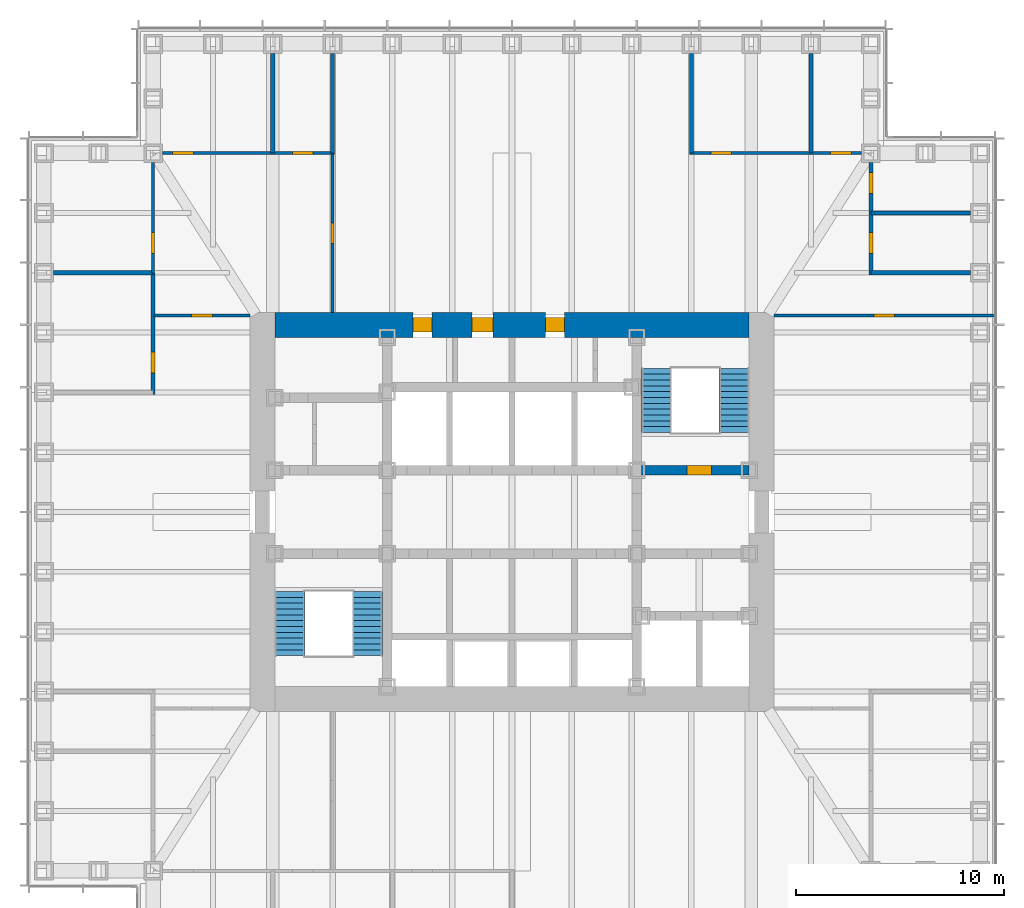
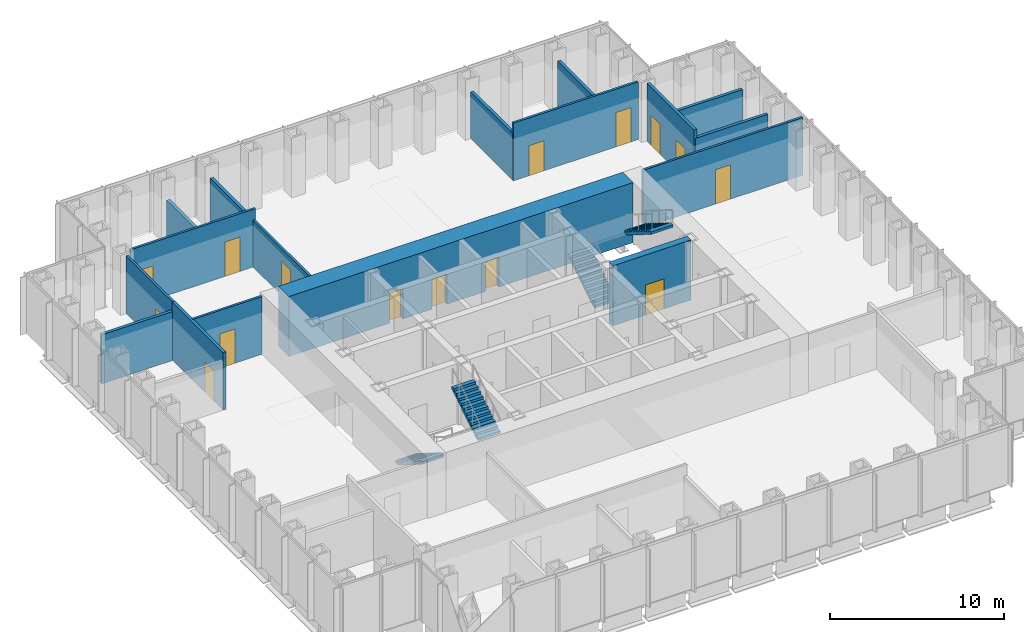
# One storey, part 10 of 16: 17 walls, 15 doors, 4 stair flights, 15 openings, 2 elements without a shape of their own.
"""IFC4 building model written with IfcOpenShell, lengths in metres."""

import ifcopenshell
import ifcopenshell.guid

model = None  # the IFC model being written
_history = None  # IfcOwnerHistory: only IFC2X3 demands one
_inside = {}  # id of a spatial element -> (the spatial element, [elements in it])
_under = {}  # id of a project, library or spatial element -> (it, [spatial elements below it])
_declared = {}  # id of a project -> (the project, [libraries it declares])
_typed = {}  # id of a type object -> (the type object, [elements of that type])
_made_of = {}  # id of a material, layer set ... -> (it, [elements and type objects made of it])


def new_model(schema):
    """Start an empty IFC model of exactly this schema.

    Asked for "IFC4X3", IfcOpenShell would pick the latest addendum, in which some entities
    have other attributes; the version numbers below select the first issue.
    IFC2X3 requires an IfcOwnerHistory on every rooted entity: one is made here for all.
    """
    global model, _history
    if schema == "IFC4X3":
        model = ifcopenshell.file(schema_version=(4, 3, 0, 0))
    else:
        model = ifcopenshell.file(schema=schema)
    _inside.clear()
    _under.clear()
    _declared.clear()
    _typed.clear()
    _made_of.clear()
    _history = None
    if model.schema == "IFC2X3":
        org = make("IfcOrganization", Name="unknown")
        user = make(
            "IfcPersonAndOrganization",
            ThePerson=make("IfcPerson", FamilyName="unknown"),
            TheOrganization=org,
        )
        app = make(
            "IfcApplication",
            ApplicationDeveloper=org,
            Version="unknown",
            ApplicationFullName="unknown",
            ApplicationIdentifier="unknown",
        )
        _history = make(
            "IfcOwnerHistory",
            OwningUser=user,
            OwningApplication=app,
            ChangeAction="ADDED",
            CreationDate=0,
        )
    return model


def make(cls, **values):
    """One entity of the class cls with the attributes given. An attribute that is None is left unset."""
    return model.create_entity(
        cls, **{name: value for name, value in values.items() if value is not None}
    )


def rooted(cls, **values):
    """An entity with a GlobalId (a new one), such as an element, a storey or a relation."""
    return make(cls, GlobalId=ifcopenshell.guid.new(), OwnerHistory=_history, **values)


def si_unit(unit_type, name, prefix=None):
    """IfcSIUnit, for example si_unit("LENGTHUNIT", "METRE", prefix="MILLI")."""
    return make("IfcSIUnit", UnitType=unit_type, Prefix=prefix, Name=name)


def assignment(units):
    """IfcUnitAssignment: the units of a project."""
    return None if units is None else make("IfcUnitAssignment", Units=units)


def point(xyz):
    """IfcCartesianPoint."""
    return None if xyz is None else make("IfcCartesianPoint", Coordinates=xyz)


def direction(xyz):
    """IfcDirection."""
    return None if xyz is None else make("IfcDirection", DirectionRatios=xyz)


def frame(location, z_axis=None, x_axis=None):
    """IfcAxis2Placement3D, a coordinate frame: its origin and axes. An axis left out is left unset."""
    return make(
        "IfcAxis2Placement3D",
        Location=point(location),
        Axis=direction(z_axis),
        RefDirection=direction(x_axis),
    )


def frame_2d(location, x_axis=None):
    """IfcAxis2Placement2D, a coordinate frame in the plane: its origin and x axis."""
    return make(
        "IfcAxis2Placement2D", Location=point(location), RefDirection=direction(x_axis)
    )


def origin():
    """The frame at (0, 0, 0) with its axes left unset."""
    return frame((0.0, 0.0, 0.0))


def place(relative_to, where):
    """IfcLocalPlacement: puts the frame where relative to a parent placement (None: the world)."""
    return make(
        "IfcLocalPlacement", PlacementRelTo=relative_to, RelativePlacement=where
    )


def context(
    kind, dimensions, precision=None, world=None, true_north=None, identifier=None
):
    """IfcGeometricRepresentationContext, for example the 3D "Model" context."""
    return make(
        "IfcGeometricRepresentationContext",
        ContextIdentifier=identifier,
        ContextType=kind,
        CoordinateSpaceDimension=dimensions,
        Precision=precision,
        WorldCoordinateSystem=world,
        TrueNorth=true_north,
    )


def subcontext(parent, identifier, kind, view, scale=None):
    """IfcGeometricRepresentationSubContext, for example "Body" below "Model"."""
    return make(
        "IfcGeometricRepresentationSubContext",
        ContextIdentifier=identifier,
        ContextType=kind,
        ParentContext=parent,
        TargetScale=scale,
        TargetView=view,
    )


def project(units=None, contexts=None):
    """IfcProject with its units and contexts."""
    return rooted(
        "IfcProject",
        Name="project",
        RepresentationContexts=contexts,
        UnitsInContext=assignment(units),
    )


def spatial(cls, under=None, at=None, **own):
    """A site, building, storey or space (cls), placed at a placement, below another one or the project."""
    s = rooted(cls, ObjectPlacement=at, **own)
    if under is not None:
        _under.setdefault(under.id(), (under, []))[1].append(s)
    return s


def polyline(points):
    """IfcPolyline through the points."""
    return make("IfcPolyline", Points=[point(p) for p in points])


def profile(cls, at=None, kind="AREA", **sizes):
    """A parametric profile (cls). Its sizes go by their IFC names, for example OverallWidth=200.0."""
    return make(cls, ProfileType=kind, Position=at, **sizes)


def rectangle(**sizes):
    """IfcRectangleProfileDef."""
    return profile("IfcRectangleProfileDef", **sizes)


def outline(outer, holes=None, kind="AREA"):
    """IfcArbitraryClosedProfileDef: a profile drawn as a closed curve; with holes, ...WithVoids."""
    if holes is None:
        return make("IfcArbitraryClosedProfileDef", ProfileType=kind, OuterCurve=outer)
    return make(
        "IfcArbitraryProfileDefWithVoids",
        ProfileType=kind,
        OuterCurve=outer,
        InnerCurves=holes,
    )


def extrude(swept, where, along, depth):
    """IfcExtrudedAreaSolid: the profile swept, set in the frame where, extruded along a direction by depth."""
    return make(
        "IfcExtrudedAreaSolid",
        SweptArea=swept,
        Position=where,
        ExtrudedDirection=direction(along),
        Depth=depth,
    )


def shape(context_of_items, identifier, shape_type, items):
    """IfcShapeRepresentation: the items that make up one representation, for example the "Body"."""
    return make(
        "IfcShapeRepresentation",
        ContextOfItems=context_of_items,
        RepresentationIdentifier=identifier,
        RepresentationType=shape_type,
        Items=items,
    )


def material(Name=None, Category=None):
    """IfcMaterial."""
    return make("IfcMaterial", Name=Name, Category=Category)


def layer(
    of_material, thickness, ventilated=None, Name=None, Category=None, Priority=None
):
    """IfcMaterialLayer: one layer of a wall or slab, of a material (None: an air gap)."""
    return make(
        "IfcMaterialLayer",
        Material=of_material,
        LayerThickness=thickness,
        IsVentilated=ventilated,
        Name=Name,
        Category=Category,
        Priority=Priority,
    )


def layer_set(layers, Name=None):
    """IfcMaterialLayerSet."""
    return make("IfcMaterialLayerSet", MaterialLayers=layers, LayerSetName=Name)


def made_of(thing, what):
    """Note that an element or type object is made of a material, layer set ...; save() writes the relation."""
    if what is not None:
        _made_of.setdefault(what.id(), (what, []))[1].append(thing)
    return thing


def type_object(cls, material=None, **own):
    """A type object (cls), such as IfcWallType, which elements share."""
    return made_of(rooted(cls, **own), material)


def element(
    cls,
    number,
    at=None,
    inside=None,
    cuts=None,
    type_object=None,
    material=None,
    context=None,
    identifier="Body",
    shape_type=None,
    held_by="IfcProductDefinitionShape",
    body=None,
    shapes=None,
    **own,
):
    """One element of the class cls, such as IfcWall. Its Tag is "e" and its number.

    at: its placement. inside: the storey or other place that contains it. cuts: it is an
    opening in that element (IfcRelVoidsElement). A single representation is given by context,
    identifier, shape_type and body (its items); several are given by shapes. held_by: the class
    of the entity that holds the representations. save() writes the other relations.
    """
    e = rooted(cls, Tag="e%d" % number, ObjectPlacement=at, **own)
    if body is not None:
        shapes = [shape(context, identifier, shape_type, body)]
    if shapes is not None:
        e.Representation = make(held_by, Representations=shapes)
    if inside is not None:
        _inside.setdefault(inside.id(), (inside, []))[1].append(e)
    if cuts is not None:
        rooted(
            "IfcRelVoidsElement", RelatingBuildingElement=cuts, RelatedOpeningElement=e
        )
    if type_object is not None:
        _typed.setdefault(type_object.id(), (type_object, []))[1].append(e)
    return made_of(e, material)


def fill(opening, filler):
    """IfcRelFillsElement: the door or window that sits in an opening."""
    return rooted(
        "IfcRelFillsElement",
        RelatingOpeningElement=opening,
        RelatedBuildingElement=filler,
    )


def aggregate(whole, parts):
    """IfcRelAggregates: a whole, such as a stair, and the parts it consists of."""
    return rooted("IfcRelAggregates", RelatingObject=whole, RelatedObjects=parts)


def save(model, path):
    """Write the relations noted so far, then the file.

    IfcRelAggregates (storeys below a building ...), IfcRelContainedInSpatialStructure (elements
    in a storey), IfcRelDefinesByType, IfcRelAssociatesMaterial and IfcRelDeclares: one each for
    every whole, place, type object, material and project.
    """
    for whole, parts in _under.values():
        aggregate(whole, parts)
    for where, things in _inside.values():
        rooted(
            "IfcRelContainedInSpatialStructure",
            RelatedElements=things,
            RelatingStructure=where,
        )
    for kind, things in _typed.values():
        rooted("IfcRelDefinesByType", RelatedObjects=things, RelatingType=kind)
    for what, things in _made_of.values():
        rooted("IfcRelAssociatesMaterial", RelatedObjects=things, RelatingMaterial=what)
    for by, libraries in _declared.values():
        rooted("IfcRelDeclares", RelatingContext=by, RelatedDefinitions=libraries)
    model.write(path)


model = new_model("IFC4")

# Units and contexts
model_context = context("Model", 3, precision=1e-05, world=origin(), true_north=direction((0.0, 1.0)))
body_context = subcontext(model_context, "Body", "Model", "MODEL_VIEW")
ifc_project = project(units=[si_unit("LENGTHUNIT", "METRE"), si_unit("AREAUNIT", "SQUARE_METRE"), si_unit("VOLUMEUNIT", "CUBIC_METRE"), si_unit("PLANEANGLEUNIT", "RADIAN"), si_unit("MASSUNIT", "GRAM", prefix="KILO")], contexts=[model_context])

# Site, building, storey
site_placement = place(None, origin())
site = spatial("IfcSite", under=ifc_project, at=site_placement, CompositionType="ELEMENT")
building_placement = place(site_placement, origin())
building = spatial("IfcBuilding", under=site, at=building_placement, Name="Daluyong Arena Tower", CompositionType="ELEMENT")
storey_placement = place(building_placement, frame((0.0, 0.0, 162.699951171875)))
storey = spatial("IfcBuildingStorey", under=building, at=storey_placement, Name="L36", CompositionType="ELEMENT", Elevation=162.699951171875)

# Wall, opening, door
ifc_material_1 = material(Name="Concrete fc' 45 MPa", Category="concrete")
ifc_layer_1 = layer(ifc_material_1, 0.449951171875)
ifc_layer_set_1 = layer_set([ifc_layer_1], Name="Concrete fc' 45 MPa")
wall_type_1 = type_object("IfcWallType", Name="Core inner wall 450", PredefinedType="SHEAR", material=ifc_layer_set_1)
wall_1_placement = place(storey_placement, frame((62.22509765625, 82.0, 0.0), z_axis=(0.0, 0.0, 1.0), x_axis=(1.0, 0.0, 0.0)))
wall_1 = element("IfcWall", 1, at=wall_1_placement, inside=storey, type_object=wall_type_1, Name="core inner wall at L36", PredefinedType="SHEAR", context=body_context, shape_type="SweptSolid", body=[
    extrude(rectangle(XDim=5.1748046875, YDim=0.449951171875, at=frame_2d((2.58740234375, 0.0))), origin(), (0.0, 0.0, 1.0), 4.199951171875),
])
opening_1_placement = place(wall_1_placement, frame((2.175048828125, 0.0, 0.0)))
opening_1 = element("IfcOpeningElement", 2, at=opening_1_placement, cuts=wall_1, Name="Opening 36013", PredefinedType="OPENING", context=body_context, shape_type="SweptSolid", body=[
    extrude(rectangle(XDim=1.199951171875, YDim=2.10009765625, at=frame_2d((0.60009765625, 1.050048828125))), frame((0.0, 0.23486328125, 0.0), z_axis=(0.0, -1.0, 0.0), x_axis=(1.0, 0.0, 0.0)), (0.0, 0.0, 1.0), 0.469970703125),
])
ifc_material_2 = material(Name="Steel door, fire rated", Category="steel")
door_type_1 = type_object("IfcDoorType", Name="Stair door 1200", OperationType="SINGLE_SWING_LEFT", PredefinedType="DOOR", material=ifc_material_2)
door_1_placement = place(opening_1_placement, origin())
door_1 = element("IfcDoor", 3, at=door_1_placement, inside=storey, type_object=door_type_1, Name="stair B door 36013", OperationType="SINGLE_SWING_LEFT", OverallHeight=2.10009765625, OverallWidth=1.199951171875, PredefinedType="DOOR", context=body_context, shape_type="SweptSolid", body=[
    extrude(rectangle(XDim=1.199951171875, YDim=2.10009765625, at=frame_2d((0.60009765625, 1.050048828125))), frame((0.0, 0.224609375, 0.0), z_axis=(0.0, -1.0, 0.0), x_axis=(1.0, 0.0, 0.0)), (0.0, 0.0, 1.0), 0.449462890625),
])
fill(opening_1, door_1)

# Wall, openings, doors
ifc_material_3 = material(Name="Concrete fc' 60 MPa", Category="concrete")
ifc_layer_2 = layer(ifc_material_3, 1.199951171875)
ifc_layer_set_2 = layer_set([ifc_layer_2], Name="Concrete fc' 60 MPa")
wall_type_2 = type_object("IfcWallType", Name="Core wall 1200", PredefinedType="SHEAR", material=ifc_layer_set_2)
wall_2_placement = place(storey_placement, frame((44.60009765625, 89.0, 0.0), z_axis=(0.0, 0.0, 1.0), x_axis=(1.0, 0.0, 0.0)))
wall_2 = element("IfcWall", 4, at=wall_2_placement, inside=storey, type_object=wall_type_2, Name="core wall at L36", PredefinedType="SHEAR", context=body_context, shape_type="SweptSolid", body=[
    extrude(rectangle(XDim=22.7998046875, YDim=1.199951171875, at=frame_2d((11.39990234375, 0.0))), origin(), (0.0, 0.0, 1.0), 4.199951171875),
])
opening_2_placement = place(wall_2_placement, frame((9.47509765625, 0.0, 0.0)))
opening_2 = element("IfcOpeningElement", 5, at=opening_2_placement, cuts=wall_2, Name="Opening 36004", PredefinedType="OPENING", context=body_context, shape_type="SweptSolid", body=[
    extrude(rectangle(XDim=1.0, YDim=2.10009765625, at=frame_2d((0.5, 1.050048828125))), frame((0.0, 0.60986328125, 0.0), z_axis=(0.0, -1.0, 0.0), x_axis=(1.0, 0.0, 0.0)), (0.0, 0.0, 1.0), 1.219970703125),
])
opening_3_placement = place(wall_2_placement, frame((6.64990234375, 0.0, 0.0)))
opening_3 = element("IfcOpeningElement", 6, at=opening_3_placement, cuts=wall_2, Name="Opening 36005", PredefinedType="OPENING", context=body_context, shape_type="SweptSolid", body=[
    extrude(rectangle(XDim=0.89990234375, YDim=2.10009765625, at=frame_2d((0.449951171875, 1.050048828125))), frame((0.0, 0.60986328125, 0.0), z_axis=(0.0, -1.0, 0.0), x_axis=(1.0, 0.0, 0.0)), (0.0, 0.0, 1.0), 1.219970703125),
])
opening_4_placement = place(wall_2_placement, frame((13.012451171875, 0.0, 0.0)))
opening_4 = element("IfcOpeningElement", 7, at=opening_4_placement, cuts=wall_2, Name="Opening 36006", PredefinedType="OPENING", context=body_context, shape_type="SweptSolid", body=[
    extrude(rectangle(XDim=0.89990234375, YDim=2.10009765625, at=frame_2d((0.449951171875, 1.050048828125))), frame((0.0, 0.60986328125, 0.0), z_axis=(0.0, -1.0, 0.0), x_axis=(1.0, 0.0, 0.0)), (0.0, 0.0, 1.0), 1.219970703125),
])
ifc_material_4 = material(Name="Timber door", Category="wood")
door_type_2 = type_object("IfcDoorType", Name="Accessible toilet door 1000", OperationType="SINGLE_SWING_LEFT", PredefinedType="DOOR", material=ifc_material_4)
door_2_placement = place(opening_2_placement, origin())
door_2 = element("IfcDoor", 8, at=door_2_placement, inside=storey, type_object=door_type_2, Name="accessible toilet door 36004", OperationType="SINGLE_SWING_LEFT", OverallHeight=2.10009765625, OverallWidth=1.0, PredefinedType="DOOR", context=body_context, shape_type="SweptSolid", body=[
    extrude(rectangle(XDim=1.0, YDim=2.10009765625, at=frame_2d((0.5, 1.050048828125))), frame((0.0, 0.35009765625, 0.0), z_axis=(0.0, -1.0, 0.0), x_axis=(1.0, 0.0, 0.0)), (0.0, 0.0, 1.0), 0.699951171875),
])
fill(opening_2, door_2)
ifc_material_5 = material(Name="Steel door, fire rated", Category="steel")
door_type_3 = type_object("IfcDoorType", Name="Core room door 900", OperationType="SINGLE_SWING_LEFT", PredefinedType="DOOR", material=ifc_material_5)
door_3_placement = place(opening_4_placement, origin())
door_3 = element("IfcDoor", 9, at=door_3_placement, inside=storey, type_object=door_type_3, Name="tea point door 36006", OperationType="SINGLE_SWING_LEFT", OverallHeight=2.10009765625, OverallWidth=0.89990234375, PredefinedType="DOOR", context=body_context, shape_type="SweptSolid", body=[
    extrude(rectangle(XDim=0.89990234375, YDim=2.10009765625, at=frame_2d((0.449951171875, 1.050048828125))), frame((0.0, 0.35009765625, 0.0), z_axis=(0.0, -1.0, 0.0), x_axis=(1.0, 0.0, 0.0)), (0.0, 0.0, 1.0), 0.699951171875),
])
fill(opening_4, door_3)
ifc_material_6 = material(Name="Steel door, fire rated", Category="steel")
door_type_4 = type_object("IfcDoorType", Name="Core store door 900", OperationType="SINGLE_SWING_LEFT", PredefinedType="DOOR", material=ifc_material_6)
door_4_placement = place(opening_3_placement, origin())
door_4 = element("IfcDoor", 10, at=door_4_placement, inside=storey, type_object=door_type_4, Name="tenant store door 36005", OperationType="SINGLE_SWING_LEFT", OverallHeight=2.10009765625, OverallWidth=0.89990234375, PredefinedType="DOOR", context=body_context, shape_type="SweptSolid", body=[
    extrude(rectangle(XDim=0.89990234375, YDim=2.10009765625, at=frame_2d((0.449951171875, 1.050048828125))), frame((0.0, 0.35009765625, 0.0), z_axis=(0.0, -1.0, 0.0), x_axis=(1.0, 0.0, 0.0)), (0.0, 0.0, 1.0), 0.699951171875),
])
fill(opening_3, door_4)

# Wall, opening, door
ifc_material_7 = material(Name="Glazed aluminium partition", Category="aluminium")
ifc_layer_3 = layer(ifc_material_7, 0.14990234375)
ifc_layer_set_3 = layer_set([ifc_layer_3], Name="Glazed aluminium partition")
wall_type_3 = type_object("IfcWallType", Name="Glazed partition 150", PredefinedType="PARTITIONING", material=ifc_layer_set_3)
wall_3_placement = place(storey_placement, frame((38.800048828125, 89.449951171875, 0.0), z_axis=(0.0, 0.0, 1.0), x_axis=(1.0, 0.0, 0.0)))
wall_3 = element("IfcWall", 11, at=wall_3_placement, inside=storey, type_object=wall_type_3, Name="glazed partition at L36", PredefinedType="PARTITIONING", context=body_context, shape_type="SweptSolid", body=[
    extrude(rectangle(XDim=4.599853515625, YDim=0.14990234375, at=frame_2d((2.2998046875, 0.0))), origin(), (0.0, 0.0, 1.0), 4.0400390625),
])
opening_5_placement = place(wall_3_placement, frame((1.800048828125, 0.0, 0.0)))
opening_5 = element("IfcOpeningElement", 12, at=opening_5_placement, cuts=wall_3, Name="Opening 36040", PredefinedType="OPENING", context=body_context, shape_type="SweptSolid", body=[
    extrude(rectangle(XDim=1.0, YDim=2.39990234375, at=frame_2d((0.5, 1.199951171875))), frame((0.0, 0.0849609375, 0.0), z_axis=(0.0, -1.0, 0.0), x_axis=(1.0, 0.0, 0.0)), (0.0, 0.0, 1.0), 0.169921875),
])
ifc_material_8 = material(Name="Glazed aluminium door", Category="aluminium")
door_type_5 = type_object("IfcDoorType", Name="Meeting room glazed door 1000", OperationType="SINGLE_SWING_RIGHT", PredefinedType="DOOR", material=ifc_material_8)
door_5_placement = place(opening_5_placement, origin())
door_5 = element("IfcDoor", 13, at=door_5_placement, inside=storey, type_object=door_type_5, Name="team area screen door 36040", OperationType="SINGLE_SWING_RIGHT", OverallHeight=2.39990234375, OverallWidth=1.0, PredefinedType="DOOR", context=body_context, shape_type="SweptSolid", body=[
    extrude(rectangle(XDim=1.0, YDim=2.39990234375, at=frame_2d((0.5, 1.199951171875))), frame((0.0, 0.07470703125, 0.0), z_axis=(0.0, -1.0, 0.0), x_axis=(1.0, 0.0, 0.0)), (0.0, 0.0, 1.0), 0.1494140625),
])
fill(opening_5, door_5)

wall_4_placement = place(storey_placement, frame((68.60009765625, 89.449951171875, 0.0), z_axis=(0.0, 0.0, 1.0), x_axis=(1.0, 0.0, 0.0)))
wall_4 = element("IfcWall", 14, at=wall_4_placement, inside=storey, type_object=wall_type_3, Name="glazed partition at L36", PredefinedType="PARTITIONING", context=body_context, shape_type="SweptSolid", body=[
    extrude(rectangle(XDim=10.58984375, YDim=0.14990234375, at=frame_2d((5.294921875, 0.0))), origin(), (0.0, 0.0, 1.0), 4.0400390625),
])
opening_6_placement = place(wall_4_placement, frame((4.794921875, 0.0, 0.0)))
opening_6 = element("IfcOpeningElement", 15, at=opening_6_placement, cuts=wall_4, Name="Opening 36042", PredefinedType="OPENING", context=body_context, shape_type="SweptSolid", body=[
    extrude(rectangle(XDim=1.0, YDim=2.39990234375, at=frame_2d((0.5, 1.199951171875))), frame((0.0, 0.0849609375, 0.0), z_axis=(0.0, -1.0, 0.0), x_axis=(1.0, 0.0, 0.0)), (0.0, 0.0, 1.0), 0.169921875),
])
door_6_placement = place(opening_6_placement, origin())
door_6 = element("IfcDoor", 16, at=door_6_placement, inside=storey, type_object=door_type_5, Name="team area screen door 36042", OperationType="SINGLE_SWING_RIGHT", OverallHeight=2.39990234375, OverallWidth=1.0, PredefinedType="DOOR", context=body_context, shape_type="SweptSolid", body=[
    extrude(rectangle(XDim=1.0, YDim=2.39990234375, at=frame_2d((0.5, 1.199951171875))), frame((0.0, 0.07470703125, 0.0), z_axis=(0.0, -1.0, 0.0), x_axis=(1.0, 0.0, 0.0)), (0.0, 0.0, 1.0), 0.1494140625),
])
fill(opening_6, door_6)

# Wall, openings, doors
wall_5_placement = place(storey_placement, frame((39.199951171875, 97.25, 0.0), z_axis=(0.0, 0.0, 1.0), x_axis=(1.0, 0.0, 0.0)))
wall_5 = element("IfcWall", 17, at=wall_5_placement, inside=storey, type_object=wall_type_3, Name="glazed partition at L36", PredefinedType="PARTITIONING", context=body_context, shape_type="SweptSolid", body=[
    extrude(rectangle(XDim=8.275146484375, YDim=0.14990234375, at=frame_2d((4.1376953125, 0.0))), origin(), (0.0, 0.0, 1.0), 4.0400390625),
])
opening_7_placement = place(wall_5_placement, frame((0.487548828125, 0.0, 0.0)))
opening_7 = element("IfcOpeningElement", 18, at=opening_7_placement, cuts=wall_5, Name="Opening 36031", PredefinedType="OPENING", context=body_context, shape_type="SweptSolid", body=[
    extrude(rectangle(XDim=1.0, YDim=2.39990234375, at=frame_2d((0.5, 1.199951171875))), frame((0.0, 0.0849609375, 0.0), z_axis=(0.0, -1.0, 0.0), x_axis=(1.0, 0.0, 0.0)), (0.0, 0.0, 1.0), 0.169921875),
])
opening_8_placement = place(wall_5_placement, frame((6.237548828125, 0.0, 0.0)))
opening_8 = element("IfcOpeningElement", 19, at=opening_8_placement, cuts=wall_5, Name="Opening 36032", PredefinedType="OPENING", context=body_context, shape_type="SweptSolid", body=[
    extrude(rectangle(XDim=1.0, YDim=2.39990234375, at=frame_2d((0.5, 1.199951171875))), frame((0.0, 0.0849609375, 0.0), z_axis=(0.0, -1.0, 0.0), x_axis=(1.0, 0.0, 0.0)), (0.0, 0.0, 1.0), 0.169921875),
])
door_7_placement = place(opening_7_placement, origin())
door_7 = element("IfcDoor", 20, at=door_7_placement, inside=storey, type_object=door_type_5, Name="meeting room door 36031", OperationType="SINGLE_SWING_RIGHT", OverallHeight=2.39990234375, OverallWidth=1.0, PredefinedType="DOOR", context=body_context, shape_type="SweptSolid", body=[
    extrude(rectangle(XDim=1.0, YDim=2.39990234375, at=frame_2d((0.5, 1.199951171875))), frame((0.0, 0.07470703125, 0.0), z_axis=(0.0, -1.0, 0.0), x_axis=(1.0, 0.0, 0.0)), (0.0, 0.0, 1.0), 0.1494140625),
])
fill(opening_7, door_7)
door_8_placement = place(opening_8_placement, origin())
door_8 = element("IfcDoor", 21, at=door_8_placement, inside=storey, type_object=door_type_5, Name="focus room door 36032", OperationType="SINGLE_SWING_RIGHT", OverallHeight=2.39990234375, OverallWidth=1.0, PredefinedType="DOOR", context=body_context, shape_type="SweptSolid", body=[
    extrude(rectangle(XDim=1.0, YDim=2.39990234375, at=frame_2d((0.5, 1.199951171875))), frame((0.0, 0.07470703125, 0.0), z_axis=(0.0, -1.0, 0.0), x_axis=(1.0, 0.0, 0.0)), (0.0, 0.0, 1.0), 0.1494140625),
])
fill(opening_8, door_8)

wall_6_placement = place(storey_placement, frame((64.52490234375, 97.25, 0.0), z_axis=(0.0, 0.0, 1.0), x_axis=(1.0, 0.0, 0.0)))
wall_6 = element("IfcWall", 22, at=wall_6_placement, inside=storey, type_object=wall_type_3, Name="glazed partition at L36", PredefinedType="PARTITIONING", context=body_context, shape_type="SweptSolid", body=[
    extrude(rectangle(XDim=8.275146484375, YDim=0.14990234375, at=frame_2d((4.1376953125, 0.0))), origin(), (0.0, 0.0, 1.0), 4.0400390625),
])
opening_9_placement = place(wall_6_placement, frame((1.03759765625, 0.0, 0.0)))
opening_9 = element("IfcOpeningElement", 23, at=opening_9_placement, cuts=wall_6, Name="Opening 36033", PredefinedType="OPENING", context=body_context, shape_type="SweptSolid", body=[
    extrude(rectangle(XDim=1.0, YDim=2.10009765625, at=frame_2d((0.5, 1.050048828125))), frame((0.0, 0.0849609375, 0.0), z_axis=(0.0, -1.0, 0.0), x_axis=(1.0, 0.0, 0.0)), (0.0, 0.0, 1.0), 0.169921875),
])
opening_10_placement = place(wall_6_placement, frame((6.78759765625, 0.0, 0.0)))
opening_10 = element("IfcOpeningElement", 24, at=opening_10_placement, cuts=wall_6, Name="Opening 36034", PredefinedType="OPENING", context=body_context, shape_type="SweptSolid", body=[
    extrude(rectangle(XDim=1.0, YDim=2.39990234375, at=frame_2d((0.5, 1.199951171875))), frame((0.0, 0.0849609375, 0.0), z_axis=(0.0, -1.0, 0.0), x_axis=(1.0, 0.0, 0.0)), (0.0, 0.0, 1.0), 0.169921875),
])
door_9_placement = place(opening_10_placement, origin())
door_9 = element("IfcDoor", 25, at=door_9_placement, inside=storey, type_object=door_type_5, Name="focus room door 36034", OperationType="SINGLE_SWING_RIGHT", OverallHeight=2.39990234375, OverallWidth=1.0, PredefinedType="DOOR", context=body_context, shape_type="SweptSolid", body=[
    extrude(rectangle(XDim=1.0, YDim=2.39990234375, at=frame_2d((0.5, 1.199951171875))), frame((0.0, 0.07470703125, 0.0), z_axis=(0.0, -1.0, 0.0), x_axis=(1.0, 0.0, 0.0)), (0.0, 0.0, 1.0), 0.1494140625),
])
fill(opening_10, door_9)
ifc_material_9 = material(Name="Timber door", Category="wood")
door_type_6 = type_object("IfcDoorType", Name="Room door 1000", OperationType="SINGLE_SWING_LEFT", PredefinedType="DOOR", material=ifc_material_9)
door_10_placement = place(opening_9_placement, origin())
door_10 = element("IfcDoor", 26, at=door_10_placement, inside=storey, type_object=door_type_6, Name="office door 36033", OperationType="SINGLE_SWING_LEFT", OverallHeight=2.10009765625, OverallWidth=1.0, PredefinedType="DOOR", context=body_context, shape_type="SweptSolid", body=[
    extrude(rectangle(XDim=1.0, YDim=2.10009765625, at=frame_2d((0.5, 1.050048828125))), frame((0.0, 0.07470703125, 0.0), z_axis=(0.0, -1.0, 0.0), x_axis=(1.0, 0.0, 0.0)), (0.0, 0.0, 1.0), 0.1494140625),
])
fill(opening_9, door_10)

# Wall, opening, door
wall_7_placement = place(storey_placement, frame((38.75, 91.5, 0.0), z_axis=(0.0, 0.0, 1.0), x_axis=(0.0, 1.0, 0.0)))
wall_7 = element("IfcWall", 27, at=wall_7_placement, inside=storey, type_object=wall_type_3, Name="glazed partition at L36", PredefinedType="PARTITIONING", context=body_context, shape_type="SweptSolid", body=[
    extrude(rectangle(XDim=5.300048828125, YDim=0.14990234375, at=frame_2d((2.64990234375, 0.0))), origin(), (0.0, 0.0, 1.0), 4.0400390625),
])
opening_11_placement = place(wall_7_placement, frame((0.9375, 0.0, 0.0)))
opening_11 = element("IfcOpeningElement", 28, at=opening_11_placement, cuts=wall_7, Name="Opening 36038", PredefinedType="OPENING", context=body_context, shape_type="SweptSolid", body=[
    extrude(rectangle(XDim=1.0, YDim=2.39990234375, at=frame_2d((0.5, 1.199951171875))), frame((0.0, 0.0849609375, 0.0), z_axis=(0.0, -1.0, 0.0), x_axis=(1.0, 0.0, 0.0)), (0.0, 0.0, 1.0), 0.169921875),
])
door_11_placement = place(opening_11_placement, origin())
door_11 = element("IfcDoor", 29, at=door_11_placement, inside=storey, type_object=door_type_5, Name="meeting room door 36038", OperationType="SINGLE_SWING_RIGHT", OverallHeight=2.39990234375, OverallWidth=1.0, PredefinedType="DOOR", context=body_context, shape_type="SweptSolid", body=[
    extrude(rectangle(XDim=1.0, YDim=2.39990234375, at=frame_2d((0.5, 1.199951171875))), frame((0.0, 0.07470703125, 0.0), z_axis=(0.0, -1.0, 0.0), x_axis=(1.0, 0.0, 0.0)), (0.0, 0.0, 1.0), 0.1494140625),
])
fill(opening_11, door_11)

wall_8_placement = place(storey_placement, frame((47.375, 89.60009765625, 0.0), z_axis=(0.0, 0.0, 1.0), x_axis=(0.0, 1.0, 0.0)))
wall_8 = element("IfcWall", 30, at=wall_8_placement, inside=storey, type_object=wall_type_3, Name="glazed partition at L36", PredefinedType="PARTITIONING", context=body_context, shape_type="SweptSolid", body=[
    extrude(rectangle(XDim=7.599853515625, YDim=0.14990234375, at=frame_2d((3.7998046875, 0.0))), origin(), (0.0, 0.0, 1.0), 3.278076171875),
])
opening_12_placement = place(wall_8_placement, frame((3.300048828125, 0.0, 0.0)))
opening_12 = element("IfcOpeningElement", 31, at=opening_12_placement, cuts=wall_8, Name="Opening 36044", PredefinedType="OPENING", context=body_context, shape_type="SweptSolid", body=[
    extrude(rectangle(XDim=1.0, YDim=2.39990234375, at=frame_2d((0.5, 1.199951171875))), frame((0.0, 0.0849609375, 0.0), z_axis=(0.0, -1.0, 0.0), x_axis=(1.0, 0.0, 0.0)), (0.0, 0.0, 1.0), 0.169921875),
])
door_12_placement = place(opening_12_placement, origin())
door_12 = element("IfcDoor", 32, at=door_12_placement, inside=storey, type_object=door_type_5, Name="team area screen door 36044", OperationType="SINGLE_SWING_RIGHT", OverallHeight=2.39990234375, OverallWidth=1.0, PredefinedType="DOOR", context=body_context, shape_type="SweptSolid", body=[
    extrude(rectangle(XDim=1.0, YDim=2.39990234375, at=frame_2d((0.5, 1.199951171875))), frame((0.0, 0.07470703125, 0.0), z_axis=(0.0, -1.0, 0.0), x_axis=(1.0, 0.0, 0.0)), (0.0, 0.0, 1.0), 0.1494140625),
])
fill(opening_12, door_12)

# Walls
ifc_material_10 = material(Name="Concrete block partition", Category="concrete")
ifc_layer_4 = layer(ifc_material_10, 0.199951171875)
ifc_layer_set_4 = layer_set([ifc_layer_4], Name="Concrete block partition")
wall_type_4 = type_object("IfcWallType", Name="Partition 200", PredefinedType="PARTITIONING", material=ifc_layer_set_4)
for number, where, z_axis, x_axis, name in (
    (33, (73.25, 91.5, 0.0), (0.0, 0.0, 1.0), (1.0, 0.0, 0.0), "partition at L36"),
    (34, (73.25, 94.375, 0.0), (0.0, 0.0, 1.0), (1.0, 0.0, 0.0), "partition at L36"),
):
    element("IfcWall", number, at=place(storey_placement, frame(where, z_axis=z_axis, x_axis=x_axis)), inside=storey, type_object=wall_type_4, Name=name, PredefinedType="PARTITIONING", context=body_context, shape_type="SweptSolid", body=[
        extrude(rectangle(XDim=4.800048828125, YDim=0.199951171875, at=frame_2d((2.39990234375, 0.0))), origin(), (0.0, 0.0, 1.0), 3.427978515625),
    ])
wall_9_placement = place(storey_placement, frame((44.5, 97.25, 0.0), z_axis=(0.0, 0.0, 1.0), x_axis=(0.0, 1.0, 0.0)))
element("IfcWall", 35, at=wall_9_placement, inside=storey, type_object=wall_type_4, Name="partition at L36", PredefinedType="PARTITIONING", context=body_context, shape_type="SweptSolid", body=[
    extrude(rectangle(XDim=4.800048828125, YDim=0.199951171875, at=frame_2d((2.39990234375, 0.0))), origin(), (0.0, 0.0, 1.0), 2.739990234375),
])
for number, where, z_axis, x_axis, name in (
    (36, (47.375, 97.25, 0.0), (0.0, 0.0, 1.0), (0.0, 1.0, 0.0), "partition at L36"),
    (37, (64.625, 97.25, 0.0), (0.0, 0.0, 1.0), (0.0, 1.0, 0.0), "partition at L36"),
):
    element("IfcWall", number, at=place(storey_placement, frame(where, z_axis=z_axis, x_axis=x_axis)), inside=storey, type_object=wall_type_4, Name=name, PredefinedType="PARTITIONING", context=body_context, shape_type="SweptSolid", body=[
        extrude(rectangle(XDim=4.800048828125, YDim=0.199951171875, at=frame_2d((2.39990234375, 0.0))), origin(), (0.0, 0.0, 1.0), 3.278076171875),
    ])
for number, where, z_axis, x_axis, name in (
    (38, (70.375, 97.25, 0.0), (0.0, 0.0, 1.0), (0.0, 1.0, 0.0), "partition at L36"),
    (39, (33.949951171875, 91.5, 0.0), (0.0, 0.0, 1.0), (1.0, 0.0, 0.0), "partition at L36"),
):
    element("IfcWall", number, at=place(storey_placement, frame(where, z_axis=z_axis, x_axis=x_axis)), inside=storey, type_object=wall_type_4, Name=name, PredefinedType="PARTITIONING", context=body_context, shape_type="SweptSolid", body=[
        extrude(rectangle(XDim=4.800048828125, YDim=0.199951171875, at=frame_2d((2.39990234375, 0.0))), origin(), (0.0, 0.0, 1.0), 3.427978515625),
    ])

# Wall, opening, door
wall_10_placement = place(storey_placement, frame((38.75, 85.64990234375, 0.0), z_axis=(0.0, 0.0, 1.0), x_axis=(0.0, 1.0, 0.0)))
wall_10 = element("IfcWall", 40, at=wall_10_placement, inside=storey, type_object=wall_type_4, Name="partition at L36", PredefinedType="PARTITIONING", context=body_context, shape_type="SweptSolid", body=[
    extrude(rectangle(XDim=5.85009765625, YDim=0.199951171875, at=frame_2d((2.925048828125, 0.0))), origin(), (0.0, 0.0, 1.0), 4.0400390625),
])
opening_13_placement = place(wall_10_placement, frame((1.03759765625, 0.0, 0.0)))
opening_13 = element("IfcOpeningElement", 41, at=opening_13_placement, cuts=wall_10, Name="Opening 36037", PredefinedType="OPENING", context=body_context, shape_type="SweptSolid", body=[
    extrude(rectangle(XDim=1.0, YDim=2.10009765625, at=frame_2d((0.5, 1.050048828125))), frame((0.0, 0.10986328125, 0.0), z_axis=(0.0, -1.0, 0.0), x_axis=(1.0, 0.0, 0.0)), (0.0, 0.0, 1.0), 0.219970703125),
])
door_13_placement = place(opening_13_placement, origin())
door_13 = element("IfcDoor", 42, at=door_13_placement, inside=storey, type_object=door_type_6, Name="project room door 36037", OperationType="SINGLE_SWING_LEFT", OverallHeight=2.10009765625, OverallWidth=1.0, PredefinedType="DOOR", context=body_context, shape_type="SweptSolid", body=[
    extrude(rectangle(XDim=1.0, YDim=2.10009765625, at=frame_2d((0.5, 1.050048828125))), frame((0.0, 0.099609375, 0.0), z_axis=(0.0, -1.0, 0.0), x_axis=(1.0, 0.0, 0.0)), (0.0, 0.0, 1.0), 0.199462890625),
])
fill(opening_13, door_13)

# Wall, openings, doors
wall_11_placement = place(storey_placement, frame((73.25, 91.39990234375, 0.0), z_axis=(0.0, 0.0, 1.0), x_axis=(0.0, 1.0, 0.0)))
wall_11 = element("IfcWall", 43, at=wall_11_placement, inside=storey, type_object=wall_type_4, Name="partition at L36", PredefinedType="PARTITIONING", context=body_context, shape_type="SweptSolid", body=[
    extrude(rectangle(XDim=5.400146484375, YDim=0.199951171875, at=frame_2d((2.7001953125, 0.0))), origin(), (0.0, 0.0, 1.0), 4.0400390625),
])
opening_14_placement = place(wall_11_placement, frame((1.03759765625, 0.0, 0.0)))
opening_14 = element("IfcOpeningElement", 44, at=opening_14_placement, cuts=wall_11, Name="Opening 36029", PredefinedType="OPENING", context=body_context, shape_type="SweptSolid", body=[
    extrude(rectangle(XDim=1.0, YDim=2.10009765625, at=frame_2d((0.5, 1.050048828125))), frame((0.0, 0.10986328125, 0.0), z_axis=(0.0, -1.0, 0.0), x_axis=(1.0, 0.0, 0.0)), (0.0, 0.0, 1.0), 0.219970703125),
])
opening_15_placement = place(wall_11_placement, frame((3.91259765625, 0.0, 0.0)))
opening_15 = element("IfcOpeningElement", 45, at=opening_15_placement, cuts=wall_11, Name="Opening 36030", PredefinedType="OPENING", context=body_context, shape_type="SweptSolid", body=[
    extrude(rectangle(XDim=1.0, YDim=2.10009765625, at=frame_2d((0.5, 1.050048828125))), frame((0.0, 0.10986328125, 0.0), z_axis=(0.0, -1.0, 0.0), x_axis=(1.0, 0.0, 0.0)), (0.0, 0.0, 1.0), 0.219970703125),
])
door_14_placement = place(opening_14_placement, origin())
door_14 = element("IfcDoor", 46, at=door_14_placement, inside=storey, type_object=door_type_6, Name="quiet room door 36029", OperationType="SINGLE_SWING_LEFT", OverallHeight=2.10009765625, OverallWidth=1.0, PredefinedType="DOOR", context=body_context, shape_type="SweptSolid", body=[
    extrude(rectangle(XDim=1.0, YDim=2.10009765625, at=frame_2d((0.5, 1.050048828125))), frame((0.0, 0.099609375, 0.0), z_axis=(0.0, -1.0, 0.0), x_axis=(1.0, 0.0, 0.0)), (0.0, 0.0, 1.0), 0.199462890625),
])
fill(opening_14, door_14)
door_15_placement = place(opening_15_placement, origin())
door_15 = element("IfcDoor", 47, at=door_15_placement, inside=storey, type_object=door_type_6, Name="quiet room door 36030", OperationType="SINGLE_SWING_LEFT", OverallHeight=2.10009765625, OverallWidth=1.0, PredefinedType="DOOR", context=body_context, shape_type="SweptSolid", body=[
    extrude(rectangle(XDim=1.0, YDim=2.10009765625, at=frame_2d((0.5, 1.050048828125))), frame((0.0, 0.099609375, 0.0), z_axis=(0.0, -1.0, 0.0), x_axis=(1.0, 0.0, 0.0)), (0.0, 0.0, 1.0), 0.199462890625),
])
fill(opening_15, door_15)

# Stair, stair flights
ifc_material_11 = material(Name="Concrete fc' 35 MPa", Category="concrete")
stair_type = type_object("IfcStairType", Name="Core exit stair", PredefinedType="HALF_TURN_STAIR", material=ifc_material_11)
stair_1_placement = place(storey_placement, origin())
stair_1 = element("IfcStair", 48, at=stair_1_placement, inside=storey, type_object=stair_type, Name="exit stair A L36", PredefinedType="HALF_TURN_STAIR")
ifc_material_12 = material(Name="Concrete fc' 35 MPa", Category="concrete")
stair_flight_type = type_object("IfcStairFlightType", Name="Core stair flight", PredefinedType="STRAIGHT", material=ifc_material_12)
stair_flight_1_placement = place(storey_placement, frame((45.324951171875, 76.175048828125, 0.0), z_axis=(0.0, 0.0, 1.0), x_axis=(0.0, -1.0, 0.0)))
stair_flight_1 = element("IfcStairFlight", 49, at=stair_flight_1_placement, type_object=stair_flight_type, Name="STA flight 1", NumberOfRisers=12, NumberOfTreads=11, PredefinedType="STRAIGHT", RiserHeight=0.175, TreadLength=0.28, context=body_context, shape_type="SweptSolid", body=[
    extrude(outline(polyline([(0.0, 0.0), (0.0, 0.175048828125), (0.280029296875, 0.175048828125), (0.280029296875, 0.35009765625), (0.56005859375, 0.35009765625), (0.56005859375, 0.52490234375), (0.840087890625, 0.52490234375), (0.840087890625, 0.699951171875), (1.1201171875, 0.699951171875), (1.1201171875, 0.875), (1.39990234375, 0.875), (1.39990234375, 1.050048828125), (1.679931640625, 1.050048828125), (1.679931640625, 1.22509765625), (1.9599609375, 1.22509765625), (1.9599609375, 1.39990234375), (2.239990234375, 1.39990234375), (2.239990234375, 1.574951171875), (2.52001953125, 1.574951171875), (2.52001953125, 1.75), (2.800048828125, 1.75), (2.800048828125, 1.925048828125), (3.080078125, 1.925048828125), (3.080078125, 2.10009765625), (3.080078125, 1.748291015625), (0.28271484375, 0.0), (0.0, 0.0)])), frame((0.0, 0.72509765625, 0.0), z_axis=(0.0, -1.0, 0.0), x_axis=(1.0, 0.0, 0.0)), (0.0, 0.0, 1.0), 1.449951171875),
])
stair_flight_2_placement = place(storey_placement, frame((49.050048828125, 73.094970703125, 2.10009765625), z_axis=(0.0, 0.0, 1.0), x_axis=(0.0, 1.0, 0.0)))
stair_flight_2 = element("IfcStairFlight", 50, at=stair_flight_2_placement, type_object=stair_flight_type, Name="STA flight 2", NumberOfRisers=12, NumberOfTreads=11, PredefinedType="STRAIGHT", RiserHeight=0.175, TreadLength=0.28, context=body_context, shape_type="SweptSolid", body=[
    extrude(outline(polyline([(0.0, 0.0), (0.0, 0.175048828125), (0.280029296875, 0.175048828125), (0.280029296875, 0.35009765625), (0.56005859375, 0.35009765625), (0.56005859375, 0.52490234375), (0.840087890625, 0.52490234375), (0.840087890625, 0.699951171875), (1.1201171875, 0.699951171875), (1.1201171875, 0.875), (1.39990234375, 0.875), (1.39990234375, 1.050048828125), (1.679931640625, 1.050048828125), (1.679931640625, 1.22509765625), (1.9599609375, 1.22509765625), (1.9599609375, 1.39990234375), (2.239990234375, 1.39990234375), (2.239990234375, 1.574951171875), (2.52001953125, 1.574951171875), (2.52001953125, 1.75), (2.800048828125, 1.75), (2.800048828125, 1.925048828125), (3.080078125, 1.925048828125), (3.080078125, 2.10009765625), (3.080078125, 1.748291015625), (0.28271484375, 0.0), (0.0, 0.0)])), frame((0.0, 0.72509765625, 0.0), z_axis=(0.0, -1.0, 0.0), x_axis=(1.0, 0.0, 0.0)), (0.0, 0.0, 1.0), 1.449951171875),
])
aggregate(stair_1, [stair_flight_1, stair_flight_2])

stair_2_placement = place(storey_placement, origin())
stair_2 = element("IfcStair", 51, at=stair_2_placement, inside=storey, type_object=stair_type, Name="exit stair B L36", PredefinedType="HALF_TURN_STAIR")
stair_flight_3_placement = place(storey_placement, frame((62.949951171875, 83.824951171875, 0.0), z_axis=(0.0, 0.0, 1.0), x_axis=(0.0, 1.0, 0.0)))
stair_flight_3 = element("IfcStairFlight", 52, at=stair_flight_3_placement, type_object=stair_flight_type, Name="STB flight 1", NumberOfRisers=12, NumberOfTreads=11, PredefinedType="STRAIGHT", RiserHeight=0.175, TreadLength=0.28, context=body_context, shape_type="SweptSolid", body=[
    extrude(outline(polyline([(0.0, 0.0), (0.0, 0.175048828125), (0.280029296875, 0.175048828125), (0.280029296875, 0.35009765625), (0.56005859375, 0.35009765625), (0.56005859375, 0.52490234375), (0.840087890625, 0.52490234375), (0.840087890625, 0.699951171875), (1.1201171875, 0.699951171875), (1.1201171875, 0.875), (1.39990234375, 0.875), (1.39990234375, 1.050048828125), (1.679931640625, 1.050048828125), (1.679931640625, 1.22509765625), (1.9599609375, 1.22509765625), (1.9599609375, 1.39990234375), (2.239990234375, 1.39990234375), (2.239990234375, 1.574951171875), (2.52001953125, 1.574951171875), (2.52001953125, 1.75), (2.800048828125, 1.75), (2.800048828125, 1.925048828125), (3.080078125, 1.925048828125), (3.080078125, 2.10009765625), (3.080078125, 1.748291015625), (0.28271484375, 0.0), (0.0, 0.0)])), frame((0.0, 0.72509765625, 0.0), z_axis=(0.0, -1.0, 0.0), x_axis=(1.0, 0.0, 0.0)), (0.0, 0.0, 1.0), 1.449951171875),
])
stair_flight_4_placement = place(storey_placement, frame((66.675048828125, 86.905029296875, 2.10009765625), z_axis=(0.0, 0.0, 1.0), x_axis=(0.0, -1.0, 0.0)))
stair_flight_4 = element("IfcStairFlight", 53, at=stair_flight_4_placement, type_object=stair_flight_type, Name="STB flight 2", NumberOfRisers=12, NumberOfTreads=11, PredefinedType="STRAIGHT", RiserHeight=0.175, TreadLength=0.28, context=body_context, shape_type="SweptSolid", body=[
    extrude(outline(polyline([(0.0, 0.0), (0.0, 0.175048828125), (0.280029296875, 0.175048828125), (0.280029296875, 0.35009765625), (0.56005859375, 0.35009765625), (0.56005859375, 0.52490234375), (0.840087890625, 0.52490234375), (0.840087890625, 0.699951171875), (1.1201171875, 0.699951171875), (1.1201171875, 0.875), (1.39990234375, 0.875), (1.39990234375, 1.050048828125), (1.679931640625, 1.050048828125), (1.679931640625, 1.22509765625), (1.9599609375, 1.22509765625), (1.9599609375, 1.39990234375), (2.239990234375, 1.39990234375), (2.239990234375, 1.574951171875), (2.52001953125, 1.574951171875), (2.52001953125, 1.75), (2.800048828125, 1.75), (2.800048828125, 1.925048828125), (3.080078125, 1.925048828125), (3.080078125, 2.10009765625), (3.080078125, 1.748291015625), (0.28271484375, 0.0), (0.0, 0.0)])), frame((0.0, 0.72509765625, 0.0), z_axis=(0.0, -1.0, 0.0), x_axis=(1.0, 0.0, 0.0)), (0.0, 0.0, 1.0), 1.449951171875),
])
aggregate(stair_2, [stair_flight_3, stair_flight_4])

save(model, "model.ifc")
